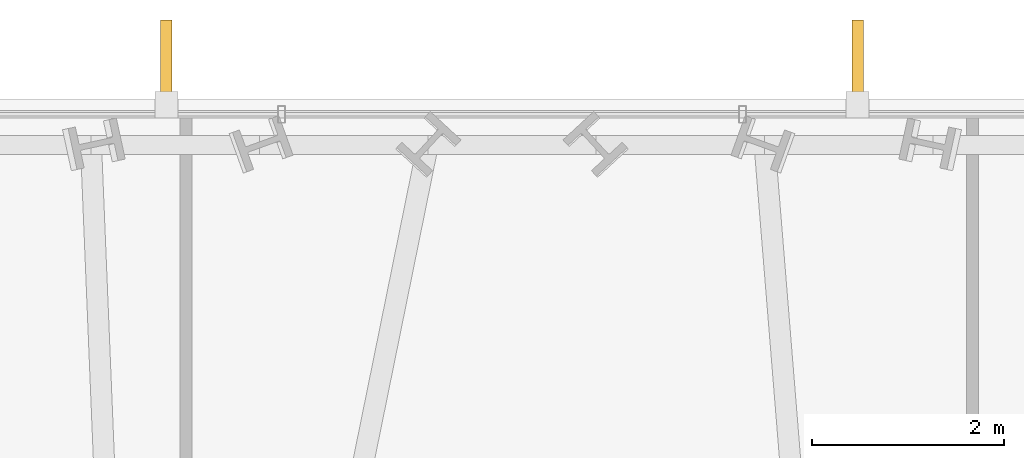
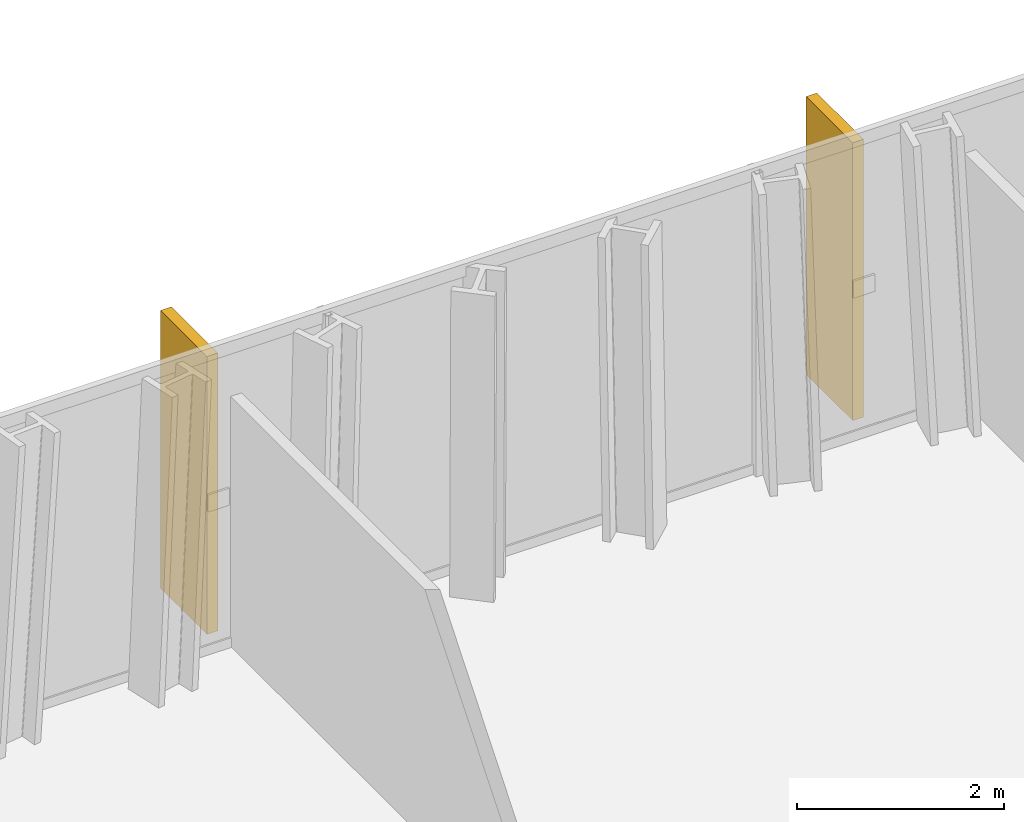
# One storey, part 33 of 33: 2 shading devices.
"""IFC4 building model written with IfcOpenShell, lengths in metres."""

from ifc_helpers import new_model, si_unit, direction, frame, origin, origin_2d, place, context, subcontext, project, spatial, rectangle, extrude, material, type_object, element, save


model = new_model("IFC4")

# Units and contexts
model_context = context("Model", 3, precision=1e-05, world=origin(), true_north=direction((0.0, 1.0)))
body_context = subcontext(model_context, "Body", "Model", "MODEL_VIEW")
ifc_project = project(units=[si_unit("LENGTHUNIT", "METRE"), si_unit("AREAUNIT", "SQUARE_METRE"), si_unit("VOLUMEUNIT", "CUBIC_METRE"), si_unit("PLANEANGLEUNIT", "RADIAN"), si_unit("MASSUNIT", "GRAM", prefix="KILO")], contexts=[model_context])

# Site, building, storey
site_placement = place(None, origin())
site = spatial("IfcSite", under=ifc_project, at=site_placement, CompositionType="ELEMENT")
building_placement = place(site_placement, origin())
building = spatial("IfcBuilding", under=site, at=building_placement, Name="Ndaravel Arena Tower", CompositionType="ELEMENT")
storey_placement = place(building_placement, frame((0.0, 0.0, 89.199951171875)))
storey = spatial("IfcBuildingStorey", under=building, at=storey_placement, Name="L20", CompositionType="ELEMENT", Elevation=89.199951171875)

# Shading devices
ifc_material = material(Name="Masonry", Category="masonry")
shading_device_type = type_object("IfcShadingDeviceType", Name="SHD-MAZERAS-FIN", PredefinedType="SHUTTER", material=ifc_material)
for number, where, z_axis, x_axis, name in (
    (1, (45.60498046875, 46.429931640625, 0.14990234375), (0.0, 0.0, 1.0), (0.0, 1.0, 0.0), "L20 Mazeras Stone Solar Fin E4.1"),
    (2, (38.39501953125, 46.429931640625, 0.14990234375), (0.0, 0.0, 1.0), (0.0, 1.0, 0.0), "L20 Mazeras Stone Solar Fin E4.2"),
):
    element("IfcShadingDevice", number, at=place(storey_placement, frame(where, z_axis=z_axis, x_axis=x_axis)), inside=storey, type_object=shading_device_type, Name=name, PredefinedType="SHUTTER", context=body_context, shape_type="SweptSolid", body=[
        extrude(rectangle(XDim=0.89990234375, YDim=0.1201171875, at=origin_2d()), origin(), (0.0, 0.0, 1.0), 3.280029296875),
    ])

save(model, "model.ifc")
